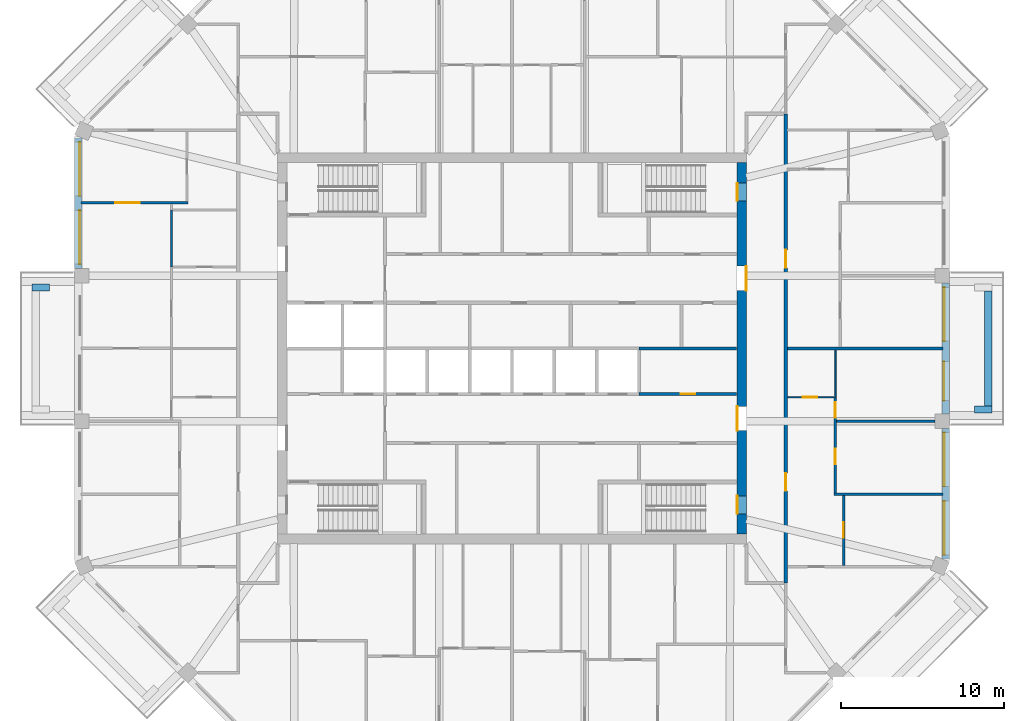
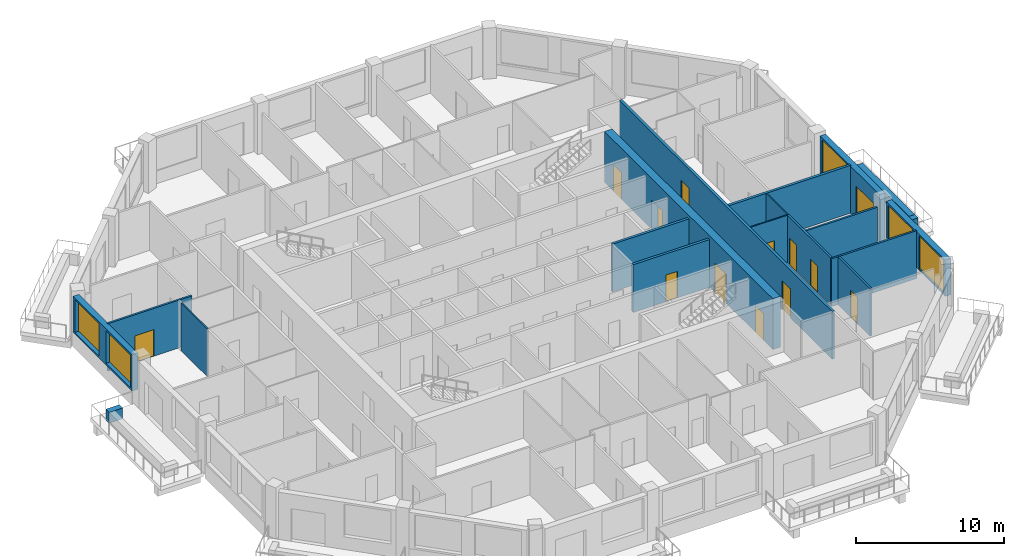
# One storey, part 6 of 12: 19 walls, 13 doors, 5 windows, 18 openings.
"""IFC4 building model written with IfcOpenShell, lengths in metres."""

from ifc_helpers import new_model, si_unit, direction, frame, frame_2d, origin, place, context, subcontext, project, spatial, rectangle, extrude, material, layer, layer_set, type_object, element, fill, save


model = new_model("IFC4")

# Units and contexts
model_context = context("Model", 3, precision=1e-05, world=origin(), true_north=direction((0.0, 1.0)))
body_context = subcontext(model_context, "Body", "Model", "MODEL_VIEW")
ifc_project = project(units=[si_unit("LENGTHUNIT", "METRE"), si_unit("AREAUNIT", "SQUARE_METRE"), si_unit("VOLUMEUNIT", "CUBIC_METRE"), si_unit("PLANEANGLEUNIT", "RADIAN"), si_unit("MASSUNIT", "GRAM", prefix="KILO")], contexts=[model_context])

# Site, building, storey
site_placement = place(None, origin())
site = spatial("IfcSite", under=ifc_project, at=site_placement, CompositionType="ELEMENT")
building_placement = place(site_placement, origin())
building = spatial("IfcBuilding", under=site, at=building_placement, Name="Msitu Wima Residences", CompositionType="ELEMENT")
storey_placement = place(building_placement, frame((0.0, 0.0, 247.5)))
storey = spatial("IfcBuildingStorey", under=building, at=storey_placement, Name="L57", CompositionType="ELEMENT", Elevation=247.5)

# Walls
ifc_material_1 = material(Name="Facing brick")
ifc_layer_1 = layer(ifc_material_1, 0.06494140625, Name="Facing brick")
ifc_material_2 = material(Name="Concrete C40/50", Category="concrete")
ifc_layer_2 = layer(ifc_material_2, 0.156005859375, Name="Concrete C40/50")
ifc_material_3 = material(Name="Waterproofing membrane")
ifc_layer_3 = layer(ifc_material_3, 0.00390625, Name="Waterproofing membrane")
ifc_material_4 = material(Name="Planting soil and planting")
ifc_layer_4 = layer(ifc_material_4, 0.22509765625, Name="Planting soil and planting")
ifc_layer_set_1 = layer_set([ifc_layer_1, ifc_layer_2, ifc_layer_3, ifc_layer_4], Name="Concrete C40/50")
wall_type_1 = type_object("IfcWallType", Name="Balcony planter PLANTER PL450", PredefinedType="USERDEFINED", material=ifc_layer_set_1)
wall_1_placement = place(storey_placement, frame((29.22509765625, -3.5185546875, 0.0), z_axis=(0.0, 0.0, 1.0), x_axis=(0.0, 1.0, 0.0)))
element("IfcWall", 1, at=wall_1_placement, inside=storey, type_object=wall_type_1, Name="Balcony planter E1 L57", ObjectType="PLANTER", PredefinedType="USERDEFINED", context=body_context, shape_type="SweptSolid", body=[
    extrude(rectangle(XDim=7.037109375, YDim=0.449951171875, at=frame_2d((3.5185546875, 0.0))), origin(), (0.0, 0.0, 1.0), 0.89990234375),
])
for number, where, z_axis, x_axis, name in (
    (2, (28.39990234375, -3.74365234375, 0.0), (0.0, 0.0, 1.0), (1.0, 0.0, 0.0), "Balcony planter E1 L57"),
    (3, (-28.39990234375, 3.74365234375, 0.0), (0.0, 0.0, 1.0), (-1.0, 0.0, 0.0), "Balcony planter W1 L57"),
):
    element("IfcWall", number, at=place(storey_placement, frame(where, z_axis=z_axis, x_axis=x_axis)), inside=storey, type_object=wall_type_1, Name=name, ObjectType="PLANTER", PredefinedType="USERDEFINED", context=body_context, shape_type="SweptSolid", body=[
        extrude(rectangle(XDim=1.050048828125, YDim=0.449951171875, at=frame_2d((0.52490234375, 0.0))), origin(), (0.0, 0.0, 1.0), 0.89990234375),
    ])

# Wall, openings, windows
ifc_material_5 = material(Name="Brick (red buff mix)", Category="masonry")
ifc_layer_5 = layer(ifc_material_5, 0.449951171875)
ifc_layer_set_2 = layer_set([ifc_layer_5], Name="Brick (red buff mix)")
wall_type_2 = type_object("IfcWallType", Name="Brick infill wall BW450", PredefinedType="SOLIDWALL", material=ifc_layer_set_2)
wall_2_placement = place(storey_placement, frame((26.625, -12.918701171875, 0.89990234375), z_axis=(0.0, 0.0, 1.0), x_axis=(0.0, 1.0, 0.0)))
wall_2 = element("IfcWall", 4, at=wall_2_placement, inside=storey, type_object=wall_type_2, Name="Brick infill wall L57 E0", PredefinedType="SOLIDWALL", context=body_context, shape_type="SweptSolid", body=[
    extrude(rectangle(XDim=8.0, YDim=0.449951171875, at=frame_2d((4.0, 0.0))), origin(), (0.0, 0.0, 1.0), 3.0),
])
opening_1_placement = place(wall_2_placement, frame((0.25, 0.0, 0.14990234375)))
opening_1 = element("IfcOpeningElement", 5, at=opening_1_placement, cuts=wall_2, Name="Opening W57-59.001", PredefinedType="OPENING", context=body_context, shape_type="SweptSolid", body=[
    extrude(rectangle(XDim=3.300048828125, YDim=2.699951171875, at=frame_2d((1.64990234375, 1.35009765625))), frame((0.0, 0.23486328125, 0.0), z_axis=(0.0, -1.0, 0.0), x_axis=(1.0, 0.0, 0.0)), (0.0, 0.0, 1.0), 0.469970703125),
])
opening_2_placement = place(wall_2_placement, frame((4.4501953125, 0.0, 0.14990234375)))
opening_2 = element("IfcOpeningElement", 6, at=opening_2_placement, cuts=wall_2, Name="Opening W57-59.002", PredefinedType="OPENING", context=body_context, shape_type="SweptSolid", body=[
    extrude(rectangle(XDim=3.300048828125, YDim=2.699951171875, at=frame_2d((1.64990234375, 1.35009765625))), frame((0.0, 0.23486328125, 0.0), z_axis=(0.0, -1.0, 0.0), x_axis=(1.0, 0.0, 0.0)), (0.0, 0.0, 1.0), 0.469970703125),
])
ifc_material_6 = material(Name="Anodised aluminium, bronze finish, clear low-emissivity double glazing", Category="aluminium")
window_type = type_object("IfcWindowType", Name="Window W3300x2700", PartitioningType="DOUBLE_PANEL_VERTICAL", PredefinedType="WINDOW", material=ifc_material_6)
window_1_placement = place(opening_1_placement, origin())
window_1 = element("IfcWindow", 7, at=window_1_placement, inside=storey, type_object=window_type, Name="Window L57 E0.1", OverallHeight=2.699951171875, OverallWidth=3.300048828125, PartitioningType="SINGLE_PANEL", PredefinedType="WINDOW", context=body_context, shape_type="SweptSolid", body=[
    extrude(rectangle(XDim=3.300048828125, YDim=2.699951171875, at=frame_2d((1.64990234375, 1.35009765625))), frame((0.0, 0.135009765625, 0.0), z_axis=(0.0, -1.0, 0.0), x_axis=(1.0, 0.0, 0.0)), (0.0, 0.0, 1.0), 0.06005859375),
])
fill(opening_1, window_1)
window_2_placement = place(opening_2_placement, origin())
window_2 = element("IfcWindow", 8, at=window_2_placement, inside=storey, type_object=window_type, Name="Window L57 E0.2", OverallHeight=2.699951171875, OverallWidth=3.300048828125, PartitioningType="SINGLE_PANEL", PredefinedType="WINDOW", context=body_context, shape_type="SweptSolid", body=[
    extrude(rectangle(XDim=3.300048828125, YDim=2.699951171875, at=frame_2d((1.64990234375, 1.35009765625))), frame((0.0, 0.135009765625, 0.0), z_axis=(0.0, -1.0, 0.0), x_axis=(1.0, 0.0, 0.0)), (0.0, 0.0, 1.0), 0.06005859375),
])
fill(opening_2, window_2)

# Wall, openings, door, window
wall_3_placement = place(storey_placement, frame((26.625, -4.0185546875, 0.0), z_axis=(0.0, 0.0, 1.0), x_axis=(0.0, 1.0, 0.0)))
wall_3 = element("IfcWall", 9, at=wall_3_placement, inside=storey, type_object=wall_type_2, Name="Brick infill wall L57 E1", PredefinedType="SOLIDWALL", context=body_context, shape_type="SweptSolid", body=[
    extrude(rectangle(XDim=8.037109375, YDim=0.449951171875, at=frame_2d((4.0185546875, 0.0))), origin(), (0.0, 0.0, 1.0), 3.89990234375),
])
opening_3_placement = place(wall_3_placement, frame((0.809326171875, 0.0, 0.0)))
opening_3 = element("IfcOpeningElement", 10, at=opening_3_placement, cuts=wall_3, Name="Opening D57-59.001", PredefinedType="OPENING", context=body_context, shape_type="SweptSolid", body=[
    extrude(rectangle(XDim=2.39990234375, YDim=2.699951171875, at=frame_2d((1.199951171875, 1.35009765625))), frame((0.0, 0.23486328125, 0.0), z_axis=(0.0, -1.0, 0.0), x_axis=(1.0, 0.0, 0.0)), (0.0, 0.0, 1.0), 0.469970703125),
])
opening_4_placement = place(wall_3_placement, frame((4.46875, 0.0, 1.050048828125)))
opening_4 = element("IfcOpeningElement", 11, at=opening_4_placement, cuts=wall_3, Name="Opening W57-59.003", PredefinedType="OPENING", context=body_context, shape_type="SweptSolid", body=[
    extrude(rectangle(XDim=3.300048828125, YDim=2.699951171875, at=frame_2d((1.64990234375, 1.35009765625))), frame((0.0, 0.23486328125, 0.0), z_axis=(0.0, -1.0, 0.0), x_axis=(1.0, 0.0, 0.0)), (0.0, 0.0, 1.0), 0.469970703125),
])
door_type_1 = type_object("IfcDoorType", Name="Balcony door D2400x2700", OperationType="SLIDING_TO_LEFT", PredefinedType="DOOR", material=ifc_material_6)
door_1_placement = place(opening_3_placement, origin())
door_1 = element("IfcDoor", 12, at=door_1_placement, inside=storey, type_object=door_type_1, Name="Balcony door L57 E1", OperationType="SINGLE_SWING_LEFT", OverallHeight=2.699951171875, OverallWidth=2.39990234375, PredefinedType="DOOR", context=body_context, shape_type="SweptSolid", body=[
    extrude(rectangle(XDim=2.39990234375, YDim=2.699951171875, at=frame_2d((1.199951171875, 1.35009765625))), frame((0.0, 0.1298828125, 0.0), z_axis=(0.0, -1.0, 0.0), x_axis=(1.0, 0.0, 0.0)), (0.0, 0.0, 1.0), 0.050048828125),
])
fill(opening_3, door_1)
window_3_placement = place(opening_4_placement, origin())
window_3 = element("IfcWindow", 13, at=window_3_placement, inside=storey, type_object=window_type, Name="Window L57 E1.2", OverallHeight=2.699951171875, OverallWidth=3.300048828125, PartitioningType="SINGLE_PANEL", PredefinedType="WINDOW", context=body_context, shape_type="SweptSolid", body=[
    extrude(rectangle(XDim=3.300048828125, YDim=2.699951171875, at=frame_2d((1.64990234375, 1.35009765625))), frame((0.0, 0.135009765625, 0.0), z_axis=(0.0, -1.0, 0.0), x_axis=(1.0, 0.0, 0.0)), (0.0, 0.0, 1.0), 0.06005859375),
])
fill(opening_4, window_3)

# Wall, openings, windows
wall_4_placement = place(storey_placement, frame((-26.625, 12.918701171875, 0.89990234375), z_axis=(0.0, 0.0, 1.0), x_axis=(0.0, -1.0, 0.0)))
wall_4 = element("IfcWall", 14, at=wall_4_placement, inside=storey, type_object=wall_type_2, Name="Brick infill wall L57 W0", PredefinedType="SOLIDWALL", context=body_context, shape_type="SweptSolid", body=[
    extrude(rectangle(XDim=8.0, YDim=0.449951171875, at=frame_2d((4.0, 0.0))), origin(), (0.0, 0.0, 1.0), 3.0),
])
opening_5_placement = place(wall_4_placement, frame((0.25, 0.0, 0.14990234375)))
opening_5 = element("IfcOpeningElement", 15, at=opening_5_placement, cuts=wall_4, Name="Opening W57-59.026", PredefinedType="OPENING", context=body_context, shape_type="SweptSolid", body=[
    extrude(rectangle(XDim=3.300048828125, YDim=2.699951171875, at=frame_2d((1.64990234375, 1.35009765625))), frame((0.0, 0.23486328125, 0.0), z_axis=(0.0, -1.0, 0.0), x_axis=(1.0, 0.0, 0.0)), (0.0, 0.0, 1.0), 0.469970703125),
])
opening_6_placement = place(wall_4_placement, frame((4.4501953125, 0.0, 0.14990234375)))
opening_6 = element("IfcOpeningElement", 16, at=opening_6_placement, cuts=wall_4, Name="Opening W57-59.027", PredefinedType="OPENING", context=body_context, shape_type="SweptSolid", body=[
    extrude(rectangle(XDim=3.300048828125, YDim=2.699951171875, at=frame_2d((1.64990234375, 1.35009765625))), frame((0.0, 0.23486328125, 0.0), z_axis=(0.0, -1.0, 0.0), x_axis=(1.0, 0.0, 0.0)), (0.0, 0.0, 1.0), 0.469970703125),
])
window_4_placement = place(opening_5_placement, origin())
window_4 = element("IfcWindow", 17, at=window_4_placement, inside=storey, type_object=window_type, Name="Window L57 W0.1", OverallHeight=2.699951171875, OverallWidth=3.300048828125, PartitioningType="SINGLE_PANEL", PredefinedType="WINDOW", context=body_context, shape_type="SweptSolid", body=[
    extrude(rectangle(XDim=3.300048828125, YDim=2.699951171875, at=frame_2d((1.64990234375, 1.35009765625))), frame((0.0, 0.135009765625, 0.0), z_axis=(0.0, -1.0, 0.0), x_axis=(1.0, 0.0, 0.0)), (0.0, 0.0, 1.0), 0.06005859375),
])
fill(opening_5, window_4)
window_5_placement = place(opening_6_placement, origin())
window_5 = element("IfcWindow", 18, at=window_5_placement, inside=storey, type_object=window_type, Name="Window L57 W0.2", OverallHeight=2.699951171875, OverallWidth=3.300048828125, PartitioningType="SINGLE_PANEL", PredefinedType="WINDOW", context=body_context, shape_type="SweptSolid", body=[
    extrude(rectangle(XDim=3.300048828125, YDim=2.699951171875, at=frame_2d((1.64990234375, 1.35009765625))), frame((0.0, 0.135009765625, 0.0), z_axis=(0.0, -1.0, 0.0), x_axis=(1.0, 0.0, 0.0)), (0.0, 0.0, 1.0), 0.06005859375),
])
fill(opening_6, window_5)

# Wall, openings, doors
ifc_material_7 = material(Name="Concrete C50/60", Category="concrete")
ifc_layer_6 = layer(ifc_material_7, 0.60009765625)
ifc_layer_set_3 = layer_set([ifc_layer_6], Name="Concrete C50/60")
wall_type_3 = type_object("IfcWallType", Name="Core wall CW600 C50/60", PredefinedType="SHEAR", material=ifc_layer_set_3)
wall_5_placement = place(storey_placement, frame((14.10009765625, -11.39990234375, 0.0), z_axis=(0.0, 0.0, 1.0), x_axis=(0.0, 1.0, 0.0)))
wall_5 = element("IfcWall", 19, at=wall_5_placement, inside=storey, type_object=wall_type_3, Name="Core wall", PredefinedType="SHEAR", context=body_context, shape_type="SweptSolid", body=[
    extrude(rectangle(XDim=22.7998046875, YDim=0.60009765625, at=frame_2d((11.39990234375, 0.0))), origin(), (0.0, 0.0, 1.0), 4.199951171875),
])
opening_7_placement = place(wall_5_placement, frame((20.449951171875, 0.0, 0.0)))
opening_7 = element("IfcOpeningElement", 20, at=opening_7_placement, cuts=wall_5, Name="Opening D57-59.088", PredefinedType="OPENING", context=body_context, shape_type="SweptSolid", body=[
    extrude(rectangle(XDim=1.10009765625, YDim=2.199951171875, at=frame_2d((0.550048828125, 1.10009765625))), frame((0.0, 0.31005859375, 0.0), z_axis=(0.0, -1.0, 0.0), x_axis=(1.0, 0.0, 0.0)), (0.0, 0.0, 1.0), 0.6201171875),
])
opening_8_placement = place(wall_5_placement, frame((1.25, 0.0, 0.0)))
opening_8 = element("IfcOpeningElement", 21, at=opening_8_placement, cuts=wall_5, Name="Opening D57-59.089", PredefinedType="OPENING", context=body_context, shape_type="SweptSolid", body=[
    extrude(rectangle(XDim=1.10009765625, YDim=2.199951171875, at=frame_2d((0.550048828125, 1.10009765625))), frame((0.0, 0.31005859375, 0.0), z_axis=(0.0, -1.0, 0.0), x_axis=(1.0, 0.0, 0.0)), (0.0, 0.0, 1.0), 0.6201171875),
])
opening_9_placement = place(wall_5_placement, frame((14.949951171875, 0.0, 0.0)))
opening_9 = element("IfcOpeningElement", 22, at=opening_9_placement, cuts=wall_5, Name="Opening D57-59.077", PredefinedType="OPENING", context=body_context, shape_type="SweptSolid", body=[
    extrude(rectangle(XDim=1.5, YDim=2.39990234375, at=frame_2d((0.75, 1.199951171875))), frame((0.0, 0.31005859375, 0.0), z_axis=(0.0, -1.0, 0.0), x_axis=(1.0, 0.0, 0.0)), (0.0, 0.0, 1.0), 0.6201171875),
])
opening_10_placement = place(wall_5_placement, frame((6.35009765625, 0.0, 0.0)))
opening_10 = element("IfcOpeningElement", 23, at=opening_10_placement, cuts=wall_5, Name="Opening D57-59.078", PredefinedType="OPENING", context=body_context, shape_type="SweptSolid", body=[
    extrude(rectangle(XDim=1.5, YDim=2.39990234375, at=frame_2d((0.75, 1.199951171875))), frame((0.0, 0.31005859375, 0.0), z_axis=(0.0, -1.0, 0.0), x_axis=(1.0, 0.0, 0.0)), (0.0, 0.0, 1.0), 0.6201171875),
])
ifc_material_8 = material(Name="Steel framed glazed door, fire resisting", Category="steel")
door_type_2 = type_object("IfcDoorType", Name="Lobby door D07 1500x2400", OperationType="DOUBLE_DOOR_SINGLE_SWING", PredefinedType="DOOR", material=ifc_material_8)
door_2_placement = place(opening_9_placement, origin())
door_2 = element("IfcDoor", 24, at=door_2_placement, inside=storey, type_object=door_type_2, Name="Lobby door", OperationType="DOUBLE_DOOR_SINGLE_SWING", OverallHeight=2.39990234375, OverallWidth=1.5, PredefinedType="DOOR", context=body_context, shape_type="SweptSolid", body=[
    extrude(rectangle(XDim=1.5, YDim=2.39990234375, at=frame_2d((0.75, 1.199951171875))), frame((0.0, -0.2451171875, 0.0), z_axis=(0.0, -1.0, 0.0), x_axis=(1.0, 0.0, 0.0)), (0.0, 0.0, 1.0), 0.050048828125),
])
fill(opening_9, door_2)
door_3_placement = place(opening_10_placement, origin())
door_3 = element("IfcDoor", 25, at=door_3_placement, inside=storey, type_object=door_type_2, Name="Lobby door", OperationType="DOUBLE_DOOR_SINGLE_SWING", OverallHeight=2.39990234375, OverallWidth=1.5, PredefinedType="DOOR", context=body_context, shape_type="SweptSolid", body=[
    extrude(rectangle(XDim=1.5, YDim=2.39990234375, at=frame_2d((0.75, 1.199951171875))), frame((0.0, 0.294921875, 0.0), z_axis=(0.0, -1.0, 0.0), x_axis=(1.0, 0.0, 0.0)), (0.0, 0.0, 1.0), 0.050048828125),
])
fill(opening_10, door_3)
ifc_material_9 = material(Name="Steel door, fire resisting, panic bar", Category="steel")
door_type_3 = type_object("IfcDoorType", Name="Stair door D06 1100x2200", OperationType="SINGLE_SWING_LEFT", PredefinedType="DOOR", material=ifc_material_9)
door_4_placement = place(opening_7_placement, origin())
door_4 = element("IfcDoor", 26, at=door_4_placement, inside=storey, type_object=door_type_3, Name="Stair door", OperationType="SINGLE_SWING_LEFT", OverallHeight=2.199951171875, OverallWidth=1.10009765625, PredefinedType="DOOR", context=body_context, shape_type="SweptSolid", body=[
    extrude(rectangle(XDim=1.10009765625, YDim=2.199951171875, at=frame_2d((0.550048828125, 1.10009765625))), frame((0.0, 0.294921875, 0.0), z_axis=(0.0, -1.0, 0.0), x_axis=(1.0, 0.0, 0.0)), (0.0, 0.0, 1.0), 0.050048828125),
])
fill(opening_7, door_4)
door_5_placement = place(opening_8_placement, origin())
door_5 = element("IfcDoor", 27, at=door_5_placement, inside=storey, type_object=door_type_3, Name="Stair door", OperationType="SINGLE_SWING_RIGHT", OverallHeight=2.199951171875, OverallWidth=1.10009765625, PredefinedType="DOOR", context=body_context, shape_type="SweptSolid", body=[
    extrude(rectangle(XDim=1.10009765625, YDim=2.199951171875, at=frame_2d((0.550048828125, 1.10009765625))), frame((0.0, 0.294921875, 0.0), z_axis=(0.0, -1.0, 0.0), x_axis=(1.0, 0.0, 0.0)), (0.0, 0.0, 1.0), 0.050048828125),
])
fill(opening_8, door_5)

ifc_material_10 = material(Name="Plaster")
ifc_layer_7 = layer(ifc_material_10, 0.011962890625, Name="Plaster")
ifc_material_11 = material(Name="Concrete blockwork", Category="masonry")
ifc_layer_8 = layer(ifc_material_11, 0.176025390625, Name="Concrete blockwork")
ifc_layer_9 = layer(ifc_material_10, 0.011962890625, Name="Plaster")
ifc_layer_set_4 = layer_set([ifc_layer_7, ifc_layer_8, ifc_layer_9], Name="Concrete blockwork")
wall_type_4 = type_object("IfcWallType", Name="Corridor wall FW200", PredefinedType="PARTITIONING", material=ifc_layer_set_4)
wall_6_placement = place(storey_placement, frame((16.800048828125, -14.39990234375, 0.0), z_axis=(0.0, 0.0, 1.0), x_axis=(0.0, 1.0, 0.0)))
wall_6 = element("IfcWall", 28, at=wall_6_placement, inside=storey, type_object=wall_type_4, Name="Corridor wall", PredefinedType="PARTITIONING", context=body_context, shape_type="SweptSolid", body=[
    extrude(rectangle(XDim=28.7998046875, YDim=0.199951171875, at=frame_2d((14.39990234375, 0.0))), origin(), (0.0, 0.0, 1.0), 3.949951171875),
])
opening_11_placement = place(wall_6_placement, frame((19.35009765625, 0.0, 0.0)))
opening_11 = element("IfcOpeningElement", 29, at=opening_11_placement, cuts=wall_6, Name="Opening D57-59.011", PredefinedType="OPENING", context=body_context, shape_type="SweptSolid", body=[
    extrude(rectangle(XDim=1.10009765625, YDim=2.39990234375, at=frame_2d((0.550048828125, 1.199951171875))), frame((0.0, 0.10986328125, 0.0), z_axis=(0.0, -1.0, 0.0), x_axis=(1.0, 0.0, 0.0)), (0.0, 0.0, 1.0), 0.219970703125),
])
opening_12_placement = place(wall_6_placement, frame((5.64990234375, 0.0, 0.0)))
opening_12 = element("IfcOpeningElement", 30, at=opening_12_placement, cuts=wall_6, Name="Opening D57-59.050", PredefinedType="OPENING", context=body_context, shape_type="SweptSolid", body=[
    extrude(rectangle(XDim=1.10009765625, YDim=2.39990234375, at=frame_2d((0.550048828125, 1.199951171875))), frame((0.0, 0.10986328125, 0.0), z_axis=(0.0, -1.0, 0.0), x_axis=(1.0, 0.0, 0.0)), (0.0, 0.0, 1.0), 0.219970703125),
])
ifc_material_12 = material(Name="Timber flush door, fire resisting, self-closing", Category="wood")
door_type_4 = type_object("IfcDoorType", Name="Flat entrance door D01 1100x2400", OperationType="SINGLE_SWING_LEFT", PredefinedType="DOOR", material=ifc_material_12)
door_6_placement = place(opening_11_placement, origin())
door_6 = element("IfcDoor", 31, at=door_6_placement, inside=storey, type_object=door_type_4, Name="Flat entrance door", OperationType="SINGLE_SWING_LEFT", OverallHeight=2.39990234375, OverallWidth=1.10009765625, PredefinedType="DOOR", context=body_context, shape_type="SweptSolid", body=[
    extrude(rectangle(XDim=1.10009765625, YDim=2.39990234375, at=frame_2d((0.550048828125, 1.199951171875))), frame((0.0, 0.02490234375, 0.0), z_axis=(0.0, -1.0, 0.0), x_axis=(1.0, 0.0, 0.0)), (0.0, 0.0, 1.0), 0.050048828125),
])
fill(opening_11, door_6)
door_7_placement = place(opening_12_placement, origin())
door_7 = element("IfcDoor", 32, at=door_7_placement, inside=storey, type_object=door_type_4, Name="Flat entrance door", OperationType="SINGLE_SWING_RIGHT", OverallHeight=2.39990234375, OverallWidth=1.10009765625, PredefinedType="DOOR", context=body_context, shape_type="SweptSolid", body=[
    extrude(rectangle(XDim=1.10009765625, YDim=2.39990234375, at=frame_2d((0.550048828125, 1.199951171875))), frame((0.0, 0.02490234375, 0.0), z_axis=(0.0, -1.0, 0.0), x_axis=(1.0, 0.0, 0.0)), (0.0, 0.0, 1.0), 0.050048828125),
])
fill(opening_12, door_7)

# Wall, opening, door
ifc_layer_10 = layer(ifc_material_10, 0.011962890625, Name="Plaster")
ifc_layer_11 = layer(ifc_material_11, 0.1259765625, Name="Concrete blockwork")
ifc_layer_12 = layer(ifc_material_10, 0.011962890625, Name="Plaster")
ifc_layer_set_5 = layer_set([ifc_layer_10, ifc_layer_11, ifc_layer_12], Name="Concrete blockwork")
wall_type_5 = type_object("IfcWallType", Name="Partition PW150", PredefinedType="PARTITIONING", material=ifc_layer_set_5)
wall_7_placement = place(storey_placement, frame((-26.455078125, 8.937255859375, 0.0), z_axis=(0.0, 0.0, 1.0), x_axis=(1.0, 0.0, 0.0)))
wall_7 = element("IfcWall", 33, at=wall_7_placement, inside=storey, type_object=wall_type_5, Name="Partition", PredefinedType="PARTITIONING", context=body_context, shape_type="SweptSolid", body=[
    extrude(rectangle(XDim=6.580078125, YDim=0.14990234375, at=frame_2d((3.2900390625, 0.0))), origin(), (0.0, 0.0, 1.0), 3.949951171875),
])
opening_13_placement = place(wall_7_placement, frame((2.10009765625, 0.0, 0.0)))
opening_13 = element("IfcOpeningElement", 34, at=opening_13_placement, cuts=wall_7, Name="Opening D57-59.047", PredefinedType="OPENING", context=body_context, shape_type="SweptSolid", body=[
    extrude(rectangle(XDim=1.5, YDim=2.199951171875, at=frame_2d((0.75, 1.10009765625))), frame((0.0, 0.0849609375, 0.0), z_axis=(0.0, -1.0, 0.0), x_axis=(1.0, 0.0, 0.0)), (0.0, 0.0, 1.0), 0.169921875),
])
ifc_material_13 = material(Name="Timber double door", Category="wood")
door_type_5 = type_object("IfcDoorType", Name="Double door D04 1500x2200", OperationType="DOUBLE_DOOR_SINGLE_SWING", PredefinedType="DOOR", material=ifc_material_13)
door_8_placement = place(opening_13_placement, origin())
door_8 = element("IfcDoor", 35, at=door_8_placement, inside=storey, type_object=door_type_5, Name="Double door", OperationType="DOUBLE_DOOR_SINGLE_SWING", OverallHeight=2.199951171875, OverallWidth=1.5, PredefinedType="DOOR", context=body_context, shape_type="SweptSolid", body=[
    extrude(rectangle(XDim=1.5, YDim=2.199951171875, at=frame_2d((0.75, 1.10009765625))), frame((0.0, 0.02490234375, 0.0), z_axis=(0.0, -1.0, 0.0), x_axis=(1.0, 0.0, 0.0)), (0.0, 0.0, 1.0), 0.050048828125),
])
fill(opening_13, door_8)

# Wall, openings, doors
wall_8_placement = place(storey_placement, frame((19.85009765625, -8.8623046875, 0.0), z_axis=(0.0, 0.0, 1.0), x_axis=(0.0, 1.0, 0.0)))
wall_8 = element("IfcWall", 36, at=wall_8_placement, inside=storey, type_object=wall_type_5, Name="Partition", PredefinedType="PARTITIONING", context=body_context, shape_type="SweptSolid", body=[
    extrude(rectangle(XDim=5.8623046875, YDim=0.14990234375, at=frame_2d((2.93115234375, 0.0))), origin(), (0.0, 0.0, 1.0), 3.949951171875),
])
opening_14_placement = place(wall_8_placement, frame((4.60009765625, 0.0, 0.0)))
opening_14 = element("IfcOpeningElement", 37, at=opening_14_placement, cuts=wall_8, Name="Opening D57-59.055", PredefinedType="OPENING", context=body_context, shape_type="SweptSolid", body=[
    extrude(rectangle(XDim=0.949951171875, YDim=2.199951171875, at=frame_2d((0.47509765625, 1.10009765625))), frame((0.0, 0.0849609375, 0.0), z_axis=(0.0, -1.0, 0.0), x_axis=(1.0, 0.0, 0.0)), (0.0, 0.0, 1.0), 0.169921875),
])
opening_15_placement = place(wall_8_placement, frame((1.75, 0.0, 0.0)))
opening_15 = element("IfcOpeningElement", 38, at=opening_15_placement, cuts=wall_8, Name="Opening D57-59.056", PredefinedType="OPENING", context=body_context, shape_type="SweptSolid", body=[
    extrude(rectangle(XDim=0.949951171875, YDim=2.199951171875, at=frame_2d((0.47509765625, 1.10009765625))), frame((0.0, 0.0849609375, 0.0), z_axis=(0.0, -1.0, 0.0), x_axis=(1.0, 0.0, 0.0)), (0.0, 0.0, 1.0), 0.169921875),
])
ifc_material_14 = material(Name="Timber flush door", Category="wood")
door_type_6 = type_object("IfcDoorType", Name="Room door D12 950x2200", OperationType="SINGLE_SWING_LEFT", PredefinedType="DOOR", material=ifc_material_14)
door_9_placement = place(opening_14_placement, origin())
door_9 = element("IfcDoor", 39, at=door_9_placement, inside=storey, type_object=door_type_6, Name="Room door", OperationType="SINGLE_SWING_RIGHT", OverallHeight=2.199951171875, OverallWidth=0.949951171875, PredefinedType="DOOR", context=body_context, shape_type="SweptSolid", body=[
    extrude(rectangle(XDim=0.949951171875, YDim=2.199951171875, at=frame_2d((0.47509765625, 1.10009765625))), frame((0.0, 0.02490234375, 0.0), z_axis=(0.0, -1.0, 0.0), x_axis=(1.0, 0.0, 0.0)), (0.0, 0.0, 1.0), 0.050048828125),
])
fill(opening_14, door_9)
door_10_placement = place(opening_15_placement, origin())
door_10 = element("IfcDoor", 40, at=door_10_placement, inside=storey, type_object=door_type_6, Name="Room door", OperationType="SINGLE_SWING_LEFT", OverallHeight=2.199951171875, OverallWidth=0.949951171875, PredefinedType="DOOR", context=body_context, shape_type="SweptSolid", body=[
    extrude(rectangle(XDim=0.949951171875, YDim=2.199951171875, at=frame_2d((0.47509765625, 1.10009765625))), frame((0.0, 0.02490234375, 0.0), z_axis=(0.0, -1.0, 0.0), x_axis=(1.0, 0.0, 0.0)), (0.0, 0.0, 1.0), 0.050048828125),
])
fill(opening_15, door_10)

# Walls
wall_9_placement = place(storey_placement, frame((19.77490234375, -8.937255859375, 0.0), z_axis=(0.0, 0.0, 1.0), x_axis=(1.0, 0.0, 0.0)))
element("IfcWall", 41, at=wall_9_placement, inside=storey, type_object=wall_type_5, Name="Partition", PredefinedType="PARTITIONING", context=body_context, shape_type="SweptSolid", body=[
    extrude(rectangle(XDim=6.68017578125, YDim=0.14990234375, at=frame_2d((3.340087890625, 0.0))), origin(), (0.0, 0.0, 1.0), 3.949951171875),
])
wall_10_placement = place(storey_placement, frame((19.925048828125, -4.46875, 0.0), z_axis=(0.0, 0.0, 1.0), x_axis=(1.0, 0.0, 0.0)))
element("IfcWall", 42, at=wall_10_placement, inside=storey, type_object=wall_type_5, Name="Partition", PredefinedType="PARTITIONING", context=body_context, shape_type="SweptSolid", body=[
    extrude(rectangle(XDim=6.02490234375, YDim=0.14990234375, at=frame_2d((3.012451171875, 0.0))), origin(), (0.0, 0.0, 1.0), 3.35009765625),
])

# Wall, opening, door
wall_11_placement = place(storey_placement, frame((20.35009765625, -13.330810546875, 0.0), z_axis=(0.0, 0.0, 1.0), x_axis=(0.0, 1.0, 0.0)))
wall_11 = element("IfcWall", 43, at=wall_11_placement, inside=storey, type_object=wall_type_5, Name="Partition", PredefinedType="PARTITIONING", context=body_context, shape_type="SweptSolid", body=[
    extrude(rectangle(XDim=4.318603515625, YDim=0.14990234375, at=frame_2d((2.1591796875, 0.0))), origin(), (0.0, 0.0, 1.0), 3.949951171875),
])
opening_16_placement = place(wall_11_placement, frame((1.699951171875, 0.0, 0.0)))
opening_16 = element("IfcOpeningElement", 44, at=opening_16_placement, cuts=wall_11, Name="Opening D57-59.057", PredefinedType="OPENING", context=body_context, shape_type="SweptSolid", body=[
    extrude(rectangle(XDim=0.949951171875, YDim=2.199951171875, at=frame_2d((0.47509765625, 1.10009765625))), frame((0.0, 0.0849609375, 0.0), z_axis=(0.0, -1.0, 0.0), x_axis=(1.0, 0.0, 0.0)), (0.0, 0.0, 1.0), 0.169921875),
])
door_11_placement = place(opening_16_placement, origin())
door_11 = element("IfcDoor", 45, at=door_11_placement, inside=storey, type_object=door_type_6, Name="Room door", OperationType="SINGLE_SWING_LEFT", OverallHeight=2.199951171875, OverallWidth=0.949951171875, PredefinedType="DOOR", context=body_context, shape_type="SweptSolid", body=[
    extrude(rectangle(XDim=0.949951171875, YDim=2.199951171875, at=frame_2d((0.47509765625, 1.10009765625))), frame((0.0, 0.02490234375, 0.0), z_axis=(0.0, -1.0, 0.0), x_axis=(1.0, 0.0, 0.0)), (0.0, 0.0, 1.0), 0.050048828125),
])
fill(opening_16, door_11)

# Wall
ifc_layer_13 = layer(ifc_material_10, 0.011962890625, Name="Plaster")
ifc_material_15 = material(Name="Dense concrete blockwork", Category="masonry")
ifc_layer_14 = layer(ifc_material_15, 0.176025390625, Name="Dense concrete blockwork")
ifc_layer_15 = layer(ifc_material_10, 0.011962890625, Name="Plaster")
ifc_layer_set_6 = layer_set([ifc_layer_13, ifc_layer_14, ifc_layer_15], Name="Dense concrete blockwork")
wall_type_6 = type_object("IfcWallType", Name="Party wall PW200", PredefinedType="PARTITIONING", material=ifc_layer_set_6)
wall_12_placement = place(storey_placement, frame((16.89990234375, 0.0, 0.0), z_axis=(0.0, 0.0, 1.0), x_axis=(1.0, 0.0, 0.0)))
element("IfcWall", 46, at=wall_12_placement, inside=storey, type_object=wall_type_6, Name="Party wall", PredefinedType="PARTITIONING", context=body_context, shape_type="SweptSolid", body=[
    extrude(rectangle(XDim=9.55517578125, YDim=0.199951171875, at=frame_2d((4.777587890625, 0.0))), origin(), (0.0, 0.0, 1.0), 3.949951171875),
])

# Wall, opening, door
ifc_layer_16 = layer(ifc_material_10, 0.011962890625, Name="Plaster")
ifc_material_16 = material(Name="Reinforced concrete blockwork", Category="masonry")
ifc_layer_17 = layer(ifc_material_16, 0.176025390625, Name="Reinforced concrete blockwork")
ifc_layer_18 = layer(ifc_material_10, 0.011962890625, Name="Plaster")
ifc_layer_set_7 = layer_set([ifc_layer_16, ifc_layer_17, ifc_layer_18], Name="Reinforced concrete blockwork")
wall_type_7 = type_object("IfcWallType", Name="Plant and riser wall PL200", PredefinedType="PARTITIONING", material=ifc_layer_set_7)
wall_13_placement = place(storey_placement, frame((7.800048828125, -2.800048828125, 0.0), z_axis=(0.0, 0.0, 1.0), x_axis=(1.0, 0.0, 0.0)))
wall_13 = element("IfcWall", 47, at=wall_13_placement, inside=storey, type_object=wall_type_7, Name="Plant and riser wall", PredefinedType="PARTITIONING", context=body_context, shape_type="SweptSolid", body=[
    extrude(rectangle(XDim=5.969970703125, YDim=0.199951171875, at=frame_2d((2.98486328125, 0.0))), origin(), (0.0, 0.0, 1.0), 3.949951171875),
])
opening_17_placement = place(wall_13_placement, frame((2.550048828125, 0.0, 0.0)))
opening_17 = element("IfcOpeningElement", 48, at=opening_17_placement, cuts=wall_13, Name="Opening D57-59.063", PredefinedType="OPENING", context=body_context, shape_type="SweptSolid", body=[
    extrude(rectangle(XDim=0.89990234375, YDim=2.199951171875, at=frame_2d((0.449951171875, 1.10009765625))), frame((0.0, 0.10986328125, 0.0), z_axis=(0.0, -1.0, 0.0), x_axis=(1.0, 0.0, 0.0)), (0.0, 0.0, 1.0), 0.219970703125),
])
door_type_7 = type_object("IfcDoorType", Name="Service door D05 900x2200", OperationType="SINGLE_SWING_LEFT", PredefinedType="DOOR", material=ifc_material_14)
door_12_placement = place(opening_17_placement, origin())
door_12 = element("IfcDoor", 49, at=door_12_placement, inside=storey, type_object=door_type_7, Name="Service door", OperationType="SINGLE_SWING_LEFT", OverallHeight=2.199951171875, OverallWidth=0.89990234375, PredefinedType="DOOR", context=body_context, shape_type="SweptSolid", body=[
    extrude(rectangle(XDim=0.89990234375, YDim=2.199951171875, at=frame_2d((0.449951171875, 1.10009765625))), frame((0.0, 0.02490234375, 0.0), z_axis=(0.0, -1.0, 0.0), x_axis=(1.0, 0.0, 0.0)), (0.0, 0.0, 1.0), 0.050048828125),
])
fill(opening_17, door_12)

# Walls
wall_14_placement = place(storey_placement, frame((7.800048828125, 0.0, 0.0), z_axis=(0.0, 0.0, 1.0), x_axis=(1.0, 0.0, 0.0)))
element("IfcWall", 50, at=wall_14_placement, inside=storey, type_object=wall_type_7, Name="Plant and riser wall", PredefinedType="PARTITIONING", context=body_context, shape_type="SweptSolid", body=[
    extrude(rectangle(XDim=5.969970703125, YDim=0.199951171875, at=frame_2d((2.98486328125, 0.0))), origin(), (0.0, 0.0, 1.0), 3.949951171875),
])
ifc_material_17 = material(Name="Ceramic tiles")
ifc_layer_19 = layer(ifc_material_17, 0.008056640625, Name="Ceramic tiles")
ifc_material_18 = material(Name="Moisture-resistant board")
ifc_layer_20 = layer(ifc_material_18, 0.012451171875, Name="Moisture-resistant board")
ifc_material_19 = material(Name="Light-gauge stud framing with mineral wool")
ifc_layer_21 = layer(ifc_material_19, 0.06689453125, Name="Light-gauge stud framing with mineral wool")
ifc_layer_22 = layer(ifc_material_18, 0.012451171875, Name="Moisture-resistant board")
ifc_layer_set_8 = layer_set([ifc_layer_19, ifc_layer_20, ifc_layer_21, ifc_layer_22], Name="Light-gauge stud framing with mineral wool")
wall_type_8 = type_object("IfcWallType", Name="Wet wall PW100", PredefinedType="PARTITIONING", material=ifc_layer_set_8)
wall_15_placement = place(storey_placement, frame((-20.89990234375, 5.0, 0.0), z_axis=(0.0, 0.0, 1.0), x_axis=(0.0, 1.0, 0.0)))
element("IfcWall", 51, at=wall_15_placement, inside=storey, type_object=wall_type_8, Name="Wet wall", PredefinedType="PARTITIONING", context=body_context, shape_type="SweptSolid", body=[
    extrude(rectangle(XDim=3.5, YDim=0.10009765625, at=frame_2d((1.75, 0.0))), origin(), (0.0, 0.0, 1.0), 3.949951171875),
])

# Wall, opening, door
wall_16_placement = place(storey_placement, frame((16.89990234375, -3.0, 0.0), z_axis=(0.0, 0.0, 1.0), x_axis=(1.0, 0.0, 0.0)))
wall_16 = element("IfcWall", 52, at=wall_16_placement, inside=storey, type_object=wall_type_8, Name="Wet wall", PredefinedType="PARTITIONING", context=body_context, shape_type="SweptSolid", body=[
    extrude(rectangle(XDim=2.875, YDim=0.10009765625, at=frame_2d((1.4375, 0.0))), origin(), (0.0, 0.0, 1.0), 3.949951171875),
])
opening_18_placement = place(wall_16_placement, frame((0.949951171875, 0.0, 0.0)))
opening_18 = element("IfcOpeningElement", 53, at=opening_18_placement, cuts=wall_16, Name="Opening D57-59.051", PredefinedType="OPENING", context=body_context, shape_type="SweptSolid", body=[
    extrude(rectangle(XDim=0.89990234375, YDim=2.199951171875, at=frame_2d((0.449951171875, 1.10009765625))), frame((0.0, 0.06005859375, 0.0), z_axis=(0.0, -1.0, 0.0), x_axis=(1.0, 0.0, 0.0)), (0.0, 0.0, 1.0), 0.1201171875),
])
ifc_material_20 = material(Name="Timber flush door, moisture resistant", Category="wood")
door_type_8 = type_object("IfcDoorType", Name="Bathroom door D03 900x2200", OperationType="SINGLE_SWING_LEFT", PredefinedType="DOOR", material=ifc_material_20)
door_13_placement = place(opening_18_placement, origin())
door_13 = element("IfcDoor", 54, at=door_13_placement, inside=storey, type_object=door_type_8, Name="Bathroom door", OperationType="SINGLE_SWING_LEFT", OverallHeight=2.199951171875, OverallWidth=0.89990234375, PredefinedType="DOOR", context=body_context, shape_type="SweptSolid", body=[
    extrude(rectangle(XDim=0.89990234375, YDim=2.199951171875, at=frame_2d((0.449951171875, 1.10009765625))), frame((0.0, 0.02490234375, 0.0), z_axis=(0.0, -1.0, 0.0), x_axis=(1.0, 0.0, 0.0)), (0.0, 0.0, 1.0), 0.050048828125),
])
fill(opening_18, door_13)

# Wall
wall_17_placement = place(storey_placement, frame((19.85009765625, -3.0, 0.0), z_axis=(0.0, 0.0, 1.0), x_axis=(0.0, 1.0, 0.0)))
element("IfcWall", 55, at=wall_17_placement, inside=storey, type_object=wall_type_8, Name="Wet wall", PredefinedType="PARTITIONING", context=body_context, shape_type="SweptSolid", body=[
    extrude(rectangle(XDim=2.89990234375, YDim=0.10009765625, at=frame_2d((1.449951171875, 0.0))), origin(), (0.0, 0.0, 1.0), 3.949951171875),
])

save(model, "model.ifc")
